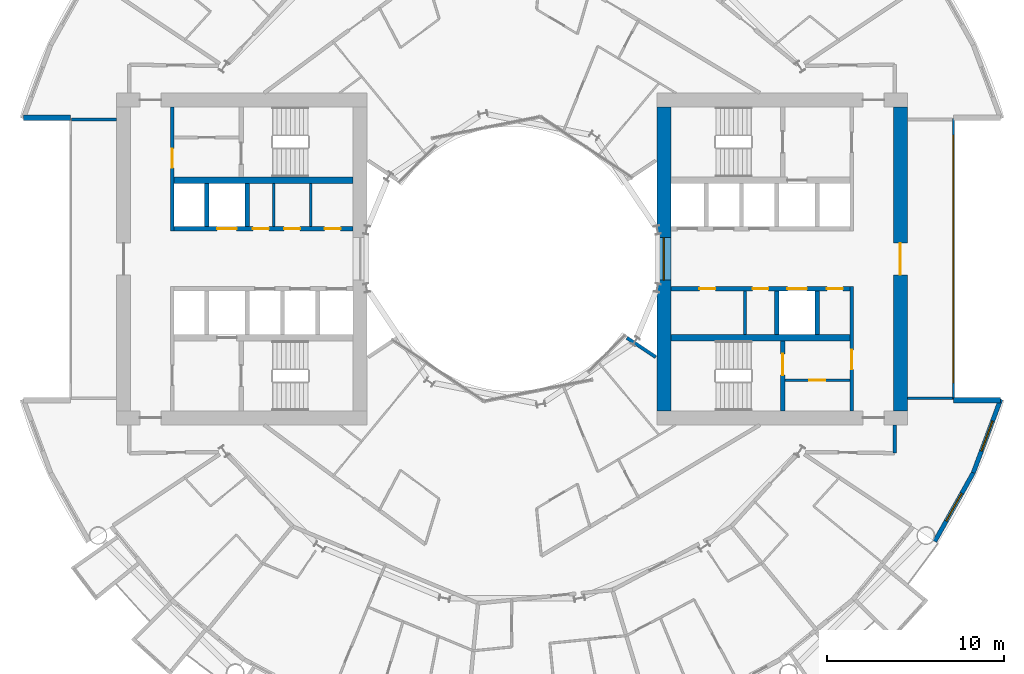
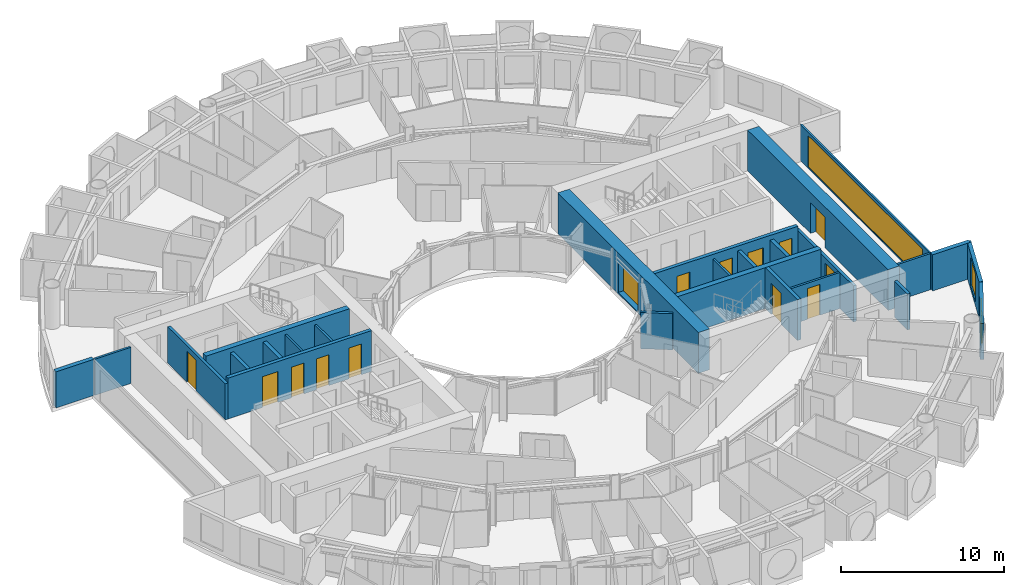
# One storey, part 17 of 26: 26 walls, 13 doors, 4 windows, 17 openings.
"""IFC4 building model written with IfcOpenShell, lengths in metres."""

from ifc_helpers import new_model, si_unit, direction, frame, frame_2d, origin, place, context, subcontext, project, spatial, rectangle, extrude, material, layer, layer_set, type_object, element, fill, save


model = new_model("IFC4")

# Units and contexts
model_context = context("Model", 3, precision=1e-05, world=origin(), true_north=direction((0.0, 1.0)))
body_context = subcontext(model_context, "Body", "Model", "MODEL_VIEW")
ifc_project = project(units=[si_unit("LENGTHUNIT", "METRE"), si_unit("AREAUNIT", "SQUARE_METRE"), si_unit("VOLUMEUNIT", "CUBIC_METRE"), si_unit("PLANEANGLEUNIT", "RADIAN"), si_unit("MASSUNIT", "GRAM", prefix="KILO")], contexts=[model_context])

# Site, building, storey
site_placement = place(None, origin())
site = spatial("IfcSite", under=ifc_project, at=site_placement, CompositionType="ELEMENT")
building_placement = place(site_placement, origin())
building = spatial("IfcBuilding", under=site, at=building_placement, Name="Maasbend Ring Residences", CompositionType="ELEMENT")
storey_placement = place(building_placement, frame((0.0, 0.0, 47.199951171875)))
storey = spatial("IfcBuildingStorey", under=building, at=storey_placement, Name="L13", CompositionType="ELEMENT", Elevation=47.199951171875)

# Wall, openings, doors
ifc_material_1 = material(Name="Concrete C70/85", Category="concrete")
ifc_layer_1 = layer(ifc_material_1, 0.25)
ifc_layer_set_1 = layer_set([ifc_layer_1], Name="Concrete C70/85")
wall_type_1 = type_object("IfcWallType", Name="CORE WALL 250 C70/85", PredefinedType="SHEAR", material=ifc_layer_set_1)
wall_1_placement = place(storey_placement, frame((19.14990234375, -1.699951171875, 0.0), z_axis=(0.0, 0.0, 1.0), x_axis=(-1.0, 0.0, 0.0)))
wall_1 = element("IfcWall", 1, at=wall_1_placement, inside=storey, type_object=wall_type_1, Name="L13 core E wall SPS", PredefinedType="SHEAR", context=body_context, shape_type="SweptSolid", body=[
    extrude(rectangle(XDim=10.14990234375, YDim=0.25, at=frame_2d((5.074951171875, 0.0))), origin(), (0.0, 0.0, 1.0), 3.050048828125),
])
opening_1_placement = place(wall_1_placement, frame((2.449951171875, 0.0, 0.0)))
opening_1 = element("IfcOpeningElement", 2, at=opening_1_placement, cuts=wall_1, Name="Opening LD-E1305", PredefinedType="OPENING", context=body_context, shape_type="SweptSolid", body=[
    extrude(rectangle(XDim=1.10009765625, YDim=2.300048828125, at=frame_2d((0.550048828125, 1.14990234375))), frame((0.0, 0.135009765625, 0.0), z_axis=(0.0, -1.0, 0.0), x_axis=(1.0, 0.0, 0.0)), (0.0, 0.0, 1.0), 0.27001953125),
])
opening_2_placement = place(wall_1_placement, frame((7.637451171875, 0.0, 0.0)))
opening_2 = element("IfcOpeningElement", 3, at=opening_2_placement, cuts=wall_1, Name="Opening D-E1306", PredefinedType="OPENING", context=body_context, shape_type="SweptSolid", body=[
    extrude(rectangle(XDim=0.89990234375, YDim=2.300048828125, at=frame_2d((0.449951171875, 1.14990234375))), frame((0.0, 0.135009765625, 0.0), z_axis=(0.0, -1.0, 0.0), x_axis=(1.0, 0.0, 0.0)), (0.0, 0.0, 1.0), 0.27001953125),
])
opening_3_placement = place(wall_1_placement, frame((4.625, 0.0, 0.0)))
opening_3 = element("IfcOpeningElement", 4, at=opening_3_placement, cuts=wall_1, Name="Opening D-E1307", PredefinedType="OPENING", context=body_context, shape_type="SweptSolid", body=[
    extrude(rectangle(XDim=0.89990234375, YDim=2.300048828125, at=frame_2d((0.449951171875, 1.14990234375))), frame((0.0, 0.135009765625, 0.0), z_axis=(0.0, -1.0, 0.0), x_axis=(1.0, 0.0, 0.0)), (0.0, 0.0, 1.0), 0.27001953125),
])
opening_4_placement = place(wall_1_placement, frame((0.41259765625, 0.0, 0.0)))
opening_4 = element("IfcOpeningElement", 5, at=opening_4_placement, cuts=wall_1, Name="Opening D-E1308", PredefinedType="OPENING", context=body_context, shape_type="SweptSolid", body=[
    extrude(rectangle(XDim=0.89990234375, YDim=2.300048828125, at=frame_2d((0.449951171875, 1.14990234375))), frame((0.0, 0.135009765625, 0.0), z_axis=(0.0, -1.0, 0.0), x_axis=(1.0, 0.0, 0.0)), (0.0, 0.0, 1.0), 0.27001953125),
])
ifc_material_2 = material(Name="Stainless steel 316", Category="steel")
door_type_1 = type_object("IfcDoorType", Name="LANDING DOOR 1100 X 2300 FD60", OperationType="DOUBLE_DOOR_SLIDING", PredefinedType="DOOR", material=ifc_material_2)
door_1_placement = place(opening_1_placement, origin())
door_1 = element("IfcDoor", 6, at=door_1_placement, inside=storey, type_object=door_type_1, Name="Landing door SV-E L13", OperationType="DOUBLE_DOOR_SLIDING", OverallHeight=2.300048828125, OverallWidth=1.10009765625, PredefinedType="DOOR", context=body_context, shape_type="SweptSolid", body=[
    extrude(rectangle(XDim=1.10009765625, YDim=2.300048828125, at=frame_2d((0.550048828125, 1.14990234375))), frame((0.0, 0.02490234375, 0.0), z_axis=(0.0, -1.0, 0.0), x_axis=(1.0, 0.0, 0.0)), (0.0, 0.0, 1.0), 0.050048828125),
])
fill(opening_1, door_1)
ifc_material_3 = material(Name="Steel, powder coated", Category="steel")
door_type_2 = type_object("IfcDoorType", Name="ROOM DOOR 900 X 2300 FD30S", OperationType="NOTDEFINED", PredefinedType="DOOR", material=ifc_material_3)
door_2_placement = place(opening_2_placement, origin())
door_2 = element("IfcDoor", 7, at=door_2_placement, inside=storey, type_object=door_type_2, Name="Room door L13", OperationType="SINGLE_SWING_LEFT", OverallHeight=2.300048828125, OverallWidth=0.89990234375, PredefinedType="DOOR", context=body_context, shape_type="SweptSolid", body=[
    extrude(rectangle(XDim=0.89990234375, YDim=2.300048828125, at=frame_2d((0.449951171875, 1.14990234375))), frame((0.0, 0.02490234375, 0.0), z_axis=(0.0, -1.0, 0.0), x_axis=(1.0, 0.0, 0.0)), (0.0, 0.0, 1.0), 0.050048828125),
])
fill(opening_2, door_2)
door_3_placement = place(opening_3_placement, origin())
door_3 = element("IfcDoor", 8, at=door_3_placement, inside=storey, type_object=door_type_2, Name="Room door L13", OperationType="SINGLE_SWING_LEFT", OverallHeight=2.300048828125, OverallWidth=0.89990234375, PredefinedType="DOOR", context=body_context, shape_type="SweptSolid", body=[
    extrude(rectangle(XDim=0.89990234375, YDim=2.300048828125, at=frame_2d((0.449951171875, 1.14990234375))), frame((0.0, 0.02490234375, 0.0), z_axis=(0.0, -1.0, 0.0), x_axis=(1.0, 0.0, 0.0)), (0.0, 0.0, 1.0), 0.050048828125),
])
fill(opening_3, door_3)
door_4_placement = place(opening_4_placement, origin())
door_4 = element("IfcDoor", 9, at=door_4_placement, inside=storey, type_object=door_type_2, Name="Room door L13", OperationType="SINGLE_SWING_RIGHT", OverallHeight=2.300048828125, OverallWidth=0.89990234375, PredefinedType="DOOR", context=body_context, shape_type="SweptSolid", body=[
    extrude(rectangle(XDim=0.89990234375, YDim=2.300048828125, at=frame_2d((0.449951171875, 1.14990234375))), frame((0.0, 0.02490234375, 0.0), z_axis=(0.0, -1.0, 0.0), x_axis=(1.0, 0.0, 0.0)), (0.0, 0.0, 1.0), 0.050048828125),
])
fill(opening_4, door_4)

# Wall, opening, door
wall_2_placement = place(storey_placement, frame((15.324951171875, -8.60009765625, 0.0), z_axis=(0.0, 0.0, 1.0), x_axis=(0.0, 1.0, 0.0)))
wall_2 = element("IfcWall", 10, at=wall_2_placement, inside=storey, type_object=wall_type_1, Name="L13 core E wall STES", PredefinedType="SHEAR", context=body_context, shape_type="SweptSolid", body=[
    extrude(rectangle(XDim=3.9501953125, YDim=0.25, at=frame_2d((1.97509765625, 0.0))), origin(), (0.0, 0.0, 1.0), 3.050048828125),
])
opening_5_placement = place(wall_2_placement, frame((2.02490234375, 0.0, 0.0)))
opening_5 = element("IfcOpeningElement", 11, at=opening_5_placement, cuts=wall_2, Name="Opening D-E1311", PredefinedType="OPENING", context=body_context, shape_type="SweptSolid", body=[
    extrude(rectangle(XDim=1.199951171875, YDim=2.300048828125, at=frame_2d((0.60009765625, 1.14990234375))), frame((0.0, 0.135009765625, 0.0), z_axis=(0.0, -1.0, 0.0), x_axis=(1.0, 0.0, 0.0)), (0.0, 0.0, 1.0), 0.27001953125),
])
ifc_material_4 = material(Name="Steel, powder coated", Category="steel")
door_type_3 = type_object("IfcDoorType", Name="STAIR DOOR 1200 X 2300 FD60", OperationType="NOTDEFINED", PredefinedType="DOOR", material=ifc_material_4)
door_5_placement = place(opening_5_placement, origin())
door_5 = element("IfcDoor", 12, at=door_5_placement, inside=storey, type_object=door_type_3, Name="Stair door ST-E L13", OperationType="SINGLE_SWING_LEFT", OverallHeight=2.300048828125, OverallWidth=1.199951171875, PredefinedType="DOOR", context=body_context, shape_type="SweptSolid", body=[
    extrude(rectangle(XDim=1.199951171875, YDim=2.300048828125, at=frame_2d((0.60009765625, 1.14990234375))), frame((0.0, 0.02490234375, 0.0), z_axis=(0.0, -1.0, 0.0), x_axis=(1.0, 0.0, 0.0)), (0.0, 0.0, 1.0), 0.050048828125),
])
fill(opening_5, door_5)

# Wall, openings, doors
wall_3_placement = place(storey_placement, frame((-19.14990234375, 1.699951171875, 0.0), z_axis=(0.0, 0.0, 1.0), x_axis=(1.0, 0.0, 0.0)))
wall_3 = element("IfcWall", 13, at=wall_3_placement, inside=storey, type_object=wall_type_1, Name="L13 core W wall SPS", PredefinedType="SHEAR", context=body_context, shape_type="SweptSolid", body=[
    extrude(rectangle(XDim=10.14990234375, YDim=0.25, at=frame_2d((5.074951171875, 0.0))), origin(), (0.0, 0.0, 1.0), 3.050048828125),
])
opening_6_placement = place(wall_3_placement, frame((2.449951171875, 0.0, 0.0)))
opening_6 = element("IfcOpeningElement", 14, at=opening_6_placement, cuts=wall_3, Name="Opening LD-W1305", PredefinedType="OPENING", context=body_context, shape_type="SweptSolid", body=[
    extrude(rectangle(XDim=1.10009765625, YDim=2.300048828125, at=frame_2d((0.550048828125, 1.14990234375))), frame((0.0, 0.135009765625, 0.0), z_axis=(0.0, -1.0, 0.0), x_axis=(1.0, 0.0, 0.0)), (0.0, 0.0, 1.0), 0.27001953125),
])
opening_7_placement = place(wall_3_placement, frame((8.53759765625, 0.0, 0.0)))
opening_7 = element("IfcOpeningElement", 15, at=opening_7_placement, cuts=wall_3, Name="Opening D-W1306", PredefinedType="OPENING", context=body_context, shape_type="SweptSolid", body=[
    extrude(rectangle(XDim=0.89990234375, YDim=2.300048828125, at=frame_2d((0.449951171875, 1.14990234375))), frame((0.0, 0.135009765625, 0.0), z_axis=(0.0, -1.0, 0.0), x_axis=(1.0, 0.0, 0.0)), (0.0, 0.0, 1.0), 0.27001953125),
])
opening_8_placement = place(wall_3_placement, frame((6.25, 0.0, 0.0)))
opening_8 = element("IfcOpeningElement", 16, at=opening_8_placement, cuts=wall_3, Name="Opening D-W1307", PredefinedType="OPENING", context=body_context, shape_type="SweptSolid", body=[
    extrude(rectangle(XDim=0.89990234375, YDim=2.300048828125, at=frame_2d((0.449951171875, 1.14990234375))), frame((0.0, 0.135009765625, 0.0), z_axis=(0.0, -1.0, 0.0), x_axis=(1.0, 0.0, 0.0)), (0.0, 0.0, 1.0), 0.27001953125),
])
opening_9_placement = place(wall_3_placement, frame((4.47509765625, 0.0, 0.0)))
opening_9 = element("IfcOpeningElement", 17, at=opening_9_placement, cuts=wall_3, Name="Opening D-W1308", PredefinedType="OPENING", context=body_context, shape_type="SweptSolid", body=[
    extrude(rectangle(XDim=0.89990234375, YDim=2.300048828125, at=frame_2d((0.449951171875, 1.14990234375))), frame((0.0, 0.135009765625, 0.0), z_axis=(0.0, -1.0, 0.0), x_axis=(1.0, 0.0, 0.0)), (0.0, 0.0, 1.0), 0.27001953125),
])
door_6_placement = place(opening_6_placement, origin())
door_6 = element("IfcDoor", 18, at=door_6_placement, inside=storey, type_object=door_type_1, Name="Landing door SV-W L13", OperationType="DOUBLE_DOOR_SLIDING", OverallHeight=2.300048828125, OverallWidth=1.10009765625, PredefinedType="DOOR", context=body_context, shape_type="SweptSolid", body=[
    extrude(rectangle(XDim=1.10009765625, YDim=2.300048828125, at=frame_2d((0.550048828125, 1.14990234375))), frame((0.0, 0.02490234375, 0.0), z_axis=(0.0, -1.0, 0.0), x_axis=(1.0, 0.0, 0.0)), (0.0, 0.0, 1.0), 0.050048828125),
])
fill(opening_6, door_6)
door_7_placement = place(opening_7_placement, origin())
door_7 = element("IfcDoor", 19, at=door_7_placement, inside=storey, type_object=door_type_2, Name="Room door L13", OperationType="SINGLE_SWING_LEFT", OverallHeight=2.300048828125, OverallWidth=0.89990234375, PredefinedType="DOOR", context=body_context, shape_type="SweptSolid", body=[
    extrude(rectangle(XDim=0.89990234375, YDim=2.300048828125, at=frame_2d((0.449951171875, 1.14990234375))), frame((0.0, 0.02490234375, 0.0), z_axis=(0.0, -1.0, 0.0), x_axis=(1.0, 0.0, 0.0)), (0.0, 0.0, 1.0), 0.050048828125),
])
fill(opening_7, door_7)
door_8_placement = place(opening_8_placement, origin())
door_8 = element("IfcDoor", 20, at=door_8_placement, inside=storey, type_object=door_type_2, Name="Room door L13", OperationType="SINGLE_SWING_LEFT", OverallHeight=2.300048828125, OverallWidth=0.89990234375, PredefinedType="DOOR", context=body_context, shape_type="SweptSolid", body=[
    extrude(rectangle(XDim=0.89990234375, YDim=2.300048828125, at=frame_2d((0.449951171875, 1.14990234375))), frame((0.0, 0.02490234375, 0.0), z_axis=(0.0, -1.0, 0.0), x_axis=(1.0, 0.0, 0.0)), (0.0, 0.0, 1.0), 0.050048828125),
])
fill(opening_8, door_8)
door_9_placement = place(opening_9_placement, origin())
door_9 = element("IfcDoor", 21, at=door_9_placement, inside=storey, type_object=door_type_2, Name="Room door L13", OperationType="SINGLE_SWING_RIGHT", OverallHeight=2.300048828125, OverallWidth=0.89990234375, PredefinedType="DOOR", context=body_context, shape_type="SweptSolid", body=[
    extrude(rectangle(XDim=0.89990234375, YDim=2.300048828125, at=frame_2d((0.449951171875, 1.14990234375))), frame((0.0, 0.02490234375, 0.0), z_axis=(0.0, -1.0, 0.0), x_axis=(1.0, 0.0, 0.0)), (0.0, 0.0, 1.0), 0.050048828125),
])
fill(opening_9, door_9)

# Walls
ifc_material_5 = material(Name="Concrete C70/85", Category="concrete")
ifc_layer_2 = layer(ifc_material_5, 0.375)
ifc_layer_set_2 = layer_set([ifc_layer_2], Name="Concrete C70/85")
wall_type_2 = type_object("IfcWallType", Name="CORE WALL 375 C70/85", PredefinedType="SHEAR", material=ifc_layer_set_2)
for number, where, z_axis, x_axis, name in (
    (22, (9.0, -4.46240234375, 0.0), (0.0, 0.0, 1.0), (1.0, 0.0, 0.0), "L13 core E wall BS"),
    (23, (-9.0, 4.46240234375, 0.0), (0.0, 0.0, 1.0), (-1.0, 0.0, 0.0), "L13 core W wall BS"),
):
    element("IfcWall", number, at=place(storey_placement, frame(where, z_axis=z_axis, x_axis=x_axis)), inside=storey, type_object=wall_type_2, Name=name, PredefinedType="SHEAR", context=body_context, shape_type="SweptSolid", body=[
        extrude(rectangle(XDim=10.14990234375, YDim=0.375, at=frame_2d((5.074951171875, 0.0))), origin(), (0.0, 0.0, 1.0), 3.050048828125),
    ])

# Wall, opening, door
ifc_material_6 = material(Name="Concrete C70/85", Category="concrete")
ifc_layer_3 = layer(ifc_material_6, 0.800048828125)
ifc_layer_set_3 = layer_set([ifc_layer_3], Name="Concrete C70/85")
wall_type_3 = type_object("IfcWallType", Name="CORE WALL 800 C70/85", PredefinedType="SHEAR", material=ifc_layer_set_3)
wall_4_placement = place(storey_placement, frame((22.0, 8.60009765625, 0.0), z_axis=(0.0, 0.0, 1.0), x_axis=(0.0, -1.0, 0.0)))
wall_4 = element("IfcWall", 24, at=wall_4_placement, inside=storey, type_object=wall_type_3, Name="L13 core E wall POUT", PredefinedType="SHEAR", context=body_context, shape_type="SweptSolid", body=[
    extrude(rectangle(XDim=17.2001953125, YDim=0.800048828125, at=frame_2d((8.60009765625, 0.0))), origin(), (0.0, 0.0, 1.0), 3.050048828125),
])
opening_10_placement = place(wall_4_placement, frame((7.699951171875, 0.0, 0.0)))
opening_10 = element("IfcOpeningElement", 25, at=opening_10_placement, cuts=wall_4, Name="Opening D-E1316", PredefinedType="OPENING", context=body_context, shape_type="SweptSolid", body=[
    extrude(rectangle(XDim=1.800048828125, YDim=2.300048828125, at=frame_2d((0.89990234375, 1.14990234375))), frame((0.0, 0.41015625, 0.0), z_axis=(0.0, -1.0, 0.0), x_axis=(1.0, 0.0, 0.0)), (0.0, 0.0, 1.0), 0.820068359375),
])
ifc_material_7 = material(Name="Aluminium frame, clear glass", Category="aluminium")
door_type_4 = type_object("IfcDoorType", Name="ENTRANCE DOOR 1800 X 2300 FD60", OperationType="NOTDEFINED", PredefinedType="DOOR", material=ifc_material_7)
door_10_placement = place(opening_10_placement, origin())
door_10 = element("IfcDoor", 26, at=door_10_placement, inside=storey, type_object=door_type_4, Name="Lobby glazed door L13", OperationType="SINGLE_SWING_LEFT", OverallHeight=2.300048828125, OverallWidth=1.800048828125, PredefinedType="DOOR", context=body_context, shape_type="SweptSolid", body=[
    extrude(rectangle(XDim=1.800048828125, YDim=2.300048828125, at=frame_2d((0.89990234375, 1.14990234375))), frame((0.0, 0.02490234375, 0.0), z_axis=(0.0, -1.0, 0.0), x_axis=(1.0, 0.0, 0.0)), (0.0, 0.0, 1.0), 0.050048828125),
])
fill(opening_10, door_10)

# Wall, opening, window
wall_5_placement = place(storey_placement, frame((8.60009765625, -8.60009765625, 0.0), z_axis=(0.0, 0.0, 1.0), x_axis=(0.0, 1.0, 0.0)))
wall_5 = element("IfcWall", 27, at=wall_5_placement, inside=storey, type_object=wall_type_3, Name="L13 core E wall PIN", PredefinedType="SHEAR", context=body_context, shape_type="SweptSolid", body=[
    extrude(rectangle(XDim=17.2001953125, YDim=0.800048828125, at=frame_2d((8.60009765625, 0.0))), origin(), (0.0, 0.0, 1.0), 3.050048828125),
])
opening_11_placement = place(wall_5_placement, frame((7.39990234375, 0.0, 0.10009765625)))
opening_11 = element("IfcOpeningElement", 28, at=opening_11_placement, cuts=wall_5, Name="Opening W-E1301", PredefinedType="OPENING", context=body_context, shape_type="SweptSolid", body=[
    extrude(rectangle(XDim=2.39990234375, YDim=2.199951171875, at=frame_2d((1.199951171875, 1.10009765625))), frame((0.0, 0.41015625, 0.0), z_axis=(0.0, -1.0, 0.0), x_axis=(1.0, 0.0, 0.0)), (0.0, 0.0, 1.0), 0.820068359375),
])
ifc_material_8 = material(Name="Aluminium frame and clear glass", Category="aluminium")
window_type_1 = type_object("IfcWindowType", Name="FIXED WINDOW 2400 X 2200", PartitioningType="SINGLE_PANEL", PredefinedType="WINDOW", material=ifc_material_8)
window_1_placement = place(opening_11_placement, origin())
window_1 = element("IfcWindow", 29, at=window_1_placement, inside=storey, type_object=window_type_1, Name="Lobby window L13", OverallHeight=2.199951171875, OverallWidth=2.39990234375, PartitioningType="SINGLE_PANEL", PredefinedType="WINDOW", context=body_context, shape_type="SweptSolid", body=[
    extrude(rectangle(XDim=2.39990234375, YDim=2.199951171875, at=frame_2d((1.199951171875, 1.10009765625))), frame((0.0, 0.030029296875, 0.0), z_axis=(0.0, -1.0, 0.0), x_axis=(1.0, 0.0, 0.0)), (0.0, 0.0, 1.0), 0.06005859375),
])
fill(opening_11, window_1)

# Wall
ifc_material_9 = material(Name="Concrete C30/37", Category="concrete")
ifc_layer_4 = layer(ifc_material_9, 0.199951171875)
ifc_layer_set_4 = layer_set([ifc_layer_4], Name="Concrete C30/37")
wall_type_4 = type_object("IfcWallType", Name="CORRIDOR WALL 200 CONCRETE", PredefinedType="PARTITIONING", material=ifc_layer_set_4)
wall_6_placement = place(storey_placement, frame((21.675048828125, -11.0, 0.0), z_axis=(0.0, 0.0, 1.0), x_axis=(0.0, 1.0, 0.0)))
element("IfcWall", 30, at=wall_6_placement, inside=storey, type_object=wall_type_4, Name="U-L13-w009", PredefinedType="PARTITIONING", context=body_context, shape_type="SweptSolid", body=[
    extrude(rectangle(XDim=1.60009765625, YDim=0.199951171875, at=frame_2d((0.800048828125, 0.0))), origin(), (0.0, 0.0, 1.0), 2.699951171875),
])

# Wall, opening, window
ifc_material_10 = material(Name="Aluminium clad insulated panel", Category="aluminium")
ifc_layer_5 = layer(ifc_material_10, 0.25)
ifc_layer_set_5 = layer_set([ifc_layer_5], Name="EW-HORN")
wall_type_5 = type_object("IfcWallType", Name="EW-HORN", PredefinedType="SOLIDWALL", material=ifc_layer_set_5)
wall_7_placement = place(storey_placement, frame((23.946044921875, -16.0, 0.0), z_axis=(0.0, 0.0, 1.0), x_axis=(0.489696356642, 0.871893042919, 0.0)))
wall_7 = element("IfcWall", 31, at=wall_7_placement, inside=storey, type_object=wall_type_5, Name="Horn wall 2.1", PredefinedType="SOLIDWALL", context=body_context, shape_type="SweptSolid", body=[
    extrude(rectangle(XDim=4.45361328125, YDim=0.25, at=frame_2d((2.226806640625, 0.0))), origin(), (0.0, 0.0, 1.0), 2.699951171875),
])
opening_12_placement = place(wall_7_placement, frame((1.32666015625, 0.0, 0.300048828125)))
opening_12 = element("IfcOpeningElement", 32, at=opening_12_placement, cuts=wall_7, Name="Opening W-BX", PredefinedType="OPENING", context=body_context, shape_type="SweptSolid", body=[
    extrude(rectangle(XDim=1.800048828125, YDim=2.10009765625, at=frame_2d((0.89990234375, 1.050048828125))), frame((0.0, 0.135009765625, 0.0), z_axis=(0.0, -1.0, 0.0), x_axis=(1.0, 0.0, 0.0)), (0.0, 0.0, 1.0), 0.27001953125),
])
ifc_material_11 = material(Name="Aluminium and clear glass", Category="aluminium")
window_type_2 = type_object("IfcWindowType", Name="W-BX", PartitioningType="DOUBLE_PANEL_VERTICAL", PredefinedType="WINDOW", material=ifc_material_11)
window_2_placement = place(opening_12_placement, origin())
window_2 = element("IfcWindow", 33, at=window_2_placement, inside=storey, type_object=window_type_2, Name="Horn window 2.1", OverallHeight=2.10009765625, OverallWidth=1.800048828125, PartitioningType="SINGLE_PANEL", PredefinedType="WINDOW", context=body_context, shape_type="SweptSolid", body=[
    extrude(rectangle(XDim=1.800048828125, YDim=2.10009765625, at=frame_2d((0.89990234375, 1.050048828125))), frame((0.0, 0.030029296875, 0.0), z_axis=(0.0, -1.0, 0.0), x_axis=(1.0, 0.0, 0.0)), (0.0, 0.0, 1.0), 0.06005859375),
])
fill(opening_12, window_2)

wall_8_placement = place(storey_placement, frame((26.126953125, -12.116943359375, 0.0), z_axis=(0.0, 0.0, 1.0), x_axis=(0.349247811493, 0.937030397675, 0.0)))
wall_8 = element("IfcWall", 34, at=wall_8_placement, inside=storey, type_object=wall_type_5, Name="Horn wall 2.2", PredefinedType="SOLIDWALL", context=body_context, shape_type="SweptSolid", body=[
    extrude(rectangle(XDim=4.4521484375, YDim=0.25, at=frame_2d((2.22607421875, 0.0))), origin(), (0.0, 0.0, 1.0), 2.699951171875),
])
opening_13_placement = place(wall_8_placement, frame((1.32666015625, 0.0, 0.300048828125)))
opening_13 = element("IfcOpeningElement", 35, at=opening_13_placement, cuts=wall_8, Name="Opening W-BX", PredefinedType="OPENING", context=body_context, shape_type="SweptSolid", body=[
    extrude(rectangle(XDim=1.800048828125, YDim=2.10009765625, at=frame_2d((0.89990234375, 1.050048828125))), frame((0.0, 0.135009765625, 0.0), z_axis=(0.0, -1.0, 0.0), x_axis=(1.0, 0.0, 0.0)), (0.0, 0.0, 1.0), 0.27001953125),
])
window_3_placement = place(opening_13_placement, origin())
window_3 = element("IfcWindow", 36, at=window_3_placement, inside=storey, type_object=window_type_2, Name="Horn window 2.2", OverallHeight=2.10009765625, OverallWidth=1.800048828125, PartitioningType="SINGLE_PANEL", PredefinedType="WINDOW", context=body_context, shape_type="SweptSolid", body=[
    extrude(rectangle(XDim=1.800048828125, YDim=2.10009765625, at=frame_2d((0.89990234375, 1.050048828125))), frame((0.0, 0.030029296875, 0.0), z_axis=(0.0, -1.0, 0.0), x_axis=(1.0, 0.0, 0.0)), (0.0, 0.0, 1.0), 0.06005859375),
])
fill(opening_13, window_3)

# Walls
ifc_material_12 = material(Name="Aluminium clad insulated panel", Category="aluminium")
ifc_layer_6 = layer(ifc_material_12, 0.300048828125)
ifc_layer_set_6 = layer_set([ifc_layer_6], Name="EW-RET")
wall_type_6 = type_object("IfcWallType", Name="EW-RET", PredefinedType="SOLIDWALL", material=ifc_layer_set_6)
for number, where, z_axis, x_axis, name in (
    (37, (25.0, -8.0, 0.0), (0.0, 0.0, 1.0), (1.0, 0.0, 0.0), "Notch return wall east south"),
    (38, (-25.0, 8.0, 0.0), (0.0, 0.0, 1.0), (-1.0, 0.0, 0.0), "Notch return wall west north"),
):
    element("IfcWall", number, at=place(storey_placement, frame(where, z_axis=z_axis, x_axis=x_axis)), inside=storey, type_object=wall_type_6, Name=name, PredefinedType="SOLIDWALL", context=body_context, shape_type="SweptSolid", body=[
        extrude(rectangle(XDim=2.6669921875, YDim=0.300048828125, at=frame_2d((1.33349609375, 0.0))), origin(), (0.0, 0.0, 1.0), 2.699951171875),
    ])

# Wall, opening, window
ifc_material_13 = material(Name="Aluminium frame and clear glass", Category="aluminium")
ifc_layer_7 = layer(ifc_material_13, 0.1201171875)
ifc_layer_set_7 = layer_set([ifc_layer_7], Name="GLAZED SCREEN WALL 120 EI 60")
wall_type_7 = type_object("IfcWallType", Name="GLAZED SCREEN WALL 120 EI 60", PredefinedType="PARTITIONING", material=ifc_layer_set_7)
wall_9_placement = place(storey_placement, frame((25.0, -7.949951171875, 0.0), z_axis=(0.0, 0.0, 1.0), x_axis=(0.0, 1.0, 0.0)))
wall_9 = element("IfcWall", 39, at=wall_9_placement, inside=storey, type_object=wall_type_7, Name="L13 core E wall FACE", PredefinedType="PARTITIONING", context=body_context, shape_type="SweptSolid", body=[
    extrude(rectangle(XDim=15.89990234375, YDim=0.1201171875, at=frame_2d((7.949951171875, 0.0))), origin(), (0.0, 0.0, 1.0), 2.699951171875),
])
opening_14_placement = place(wall_9_placement, frame((0.949951171875, 0.0, 0.10009765625)))
opening_14 = element("IfcOpeningElement", 40, at=opening_14_placement, cuts=wall_9, Name="Opening W-E1302", PredefinedType="OPENING", context=body_context, shape_type="SweptSolid", body=[
    extrude(rectangle(XDim=14.0, YDim=2.35009765625, at=frame_2d((7.0, 1.175048828125))), frame((0.0, 0.070068359375, 0.0), z_axis=(0.0, -1.0, 0.0), x_axis=(1.0, 0.0, 0.0)), (0.0, 0.0, 1.0), 0.14013671875),
])
ifc_material_14 = material(Name="Aluminium frame and clear glass", Category="aluminium")
window_type_3 = type_object("IfcWindowType", Name="FIXED WINDOW 14000 X 2350", PartitioningType="SINGLE_PANEL", PredefinedType="WINDOW", material=ifc_material_14)
window_4_placement = place(opening_14_placement, origin())
window_4 = element("IfcWindow", 41, at=window_4_placement, inside=storey, type_object=window_type_3, Name="Lobby window L13", OverallHeight=2.35009765625, OverallWidth=14.0, PartitioningType="SINGLE_PANEL", PredefinedType="WINDOW", context=body_context, shape_type="SweptSolid", body=[
    extrude(rectangle(XDim=14.0, YDim=2.35009765625, at=frame_2d((7.0, 1.175048828125))), frame((0.0, 0.030029296875, 0.0), z_axis=(0.0, -1.0, 0.0), x_axis=(1.0, 0.0, 0.0)), (0.0, 0.0, 1.0), 0.06005859375),
])
fill(opening_14, window_4)

# Wall
ifc_material_15 = material(Name="Gypsum board on steel studs", Category="steel")
ifc_layer_8 = layer(ifc_material_15, 0.14990234375)
ifc_layer_set_8 = layer_set([ifc_layer_8], Name="PARTITION 150 EI 60")
wall_type_8 = type_object("IfcWallType", Name="PARTITION 150 EI 60", PredefinedType="PARTITIONING", material=ifc_layer_set_8)
wall_10_placement = place(storey_placement, frame((13.199951171875, -1.824951171875, 0.0), z_axis=(0.0, 0.0, 1.0), x_axis=(0.0, -1.0, 0.0)))
element("IfcWall", 42, at=wall_10_placement, inside=storey, type_object=wall_type_8, Name="L13 core E wall PRS1320", PredefinedType="PARTITIONING", context=body_context, shape_type="SweptSolid", body=[
    extrude(rectangle(XDim=2.449951171875, YDim=0.14990234375, at=frame_2d((1.22509765625, 0.0))), origin(), (0.0, 0.0, 1.0), 2.699951171875),
])

# Wall, opening, door
wall_11_placement = place(storey_placement, frame((15.449951171875, -6.875, 0.0), z_axis=(0.0, 0.0, 1.0), x_axis=(1.0, 0.0, 0.0)))
wall_11 = element("IfcWall", 43, at=wall_11_placement, inside=storey, type_object=wall_type_8, Name="L13 core E wall RHS", PredefinedType="PARTITIONING", context=body_context, shape_type="SweptSolid", body=[
    extrude(rectangle(XDim=3.699951171875, YDim=0.14990234375, at=frame_2d((1.85009765625, 0.0))), origin(), (0.0, 0.0, 1.0), 2.699951171875),
])
opening_15_placement = place(wall_11_placement, frame((1.39990234375, 0.0, 0.0)))
opening_15 = element("IfcOpeningElement", 44, at=opening_15_placement, cuts=wall_11, Name="Opening D-E1309", PredefinedType="OPENING", context=body_context, shape_type="SweptSolid", body=[
    extrude(rectangle(XDim=0.89990234375, YDim=2.300048828125, at=frame_2d((0.449951171875, 1.14990234375))), frame((0.0, 0.0849609375, 0.0), z_axis=(0.0, -1.0, 0.0), x_axis=(1.0, 0.0, 0.0)), (0.0, 0.0, 1.0), 0.169921875),
])
ifc_material_16 = material(Name="Steel, powder coated", Category="steel")
door_type_5 = type_object("IfcDoorType", Name="RISER DOOR 900 X 2300 FD60", OperationType="NOTDEFINED", PredefinedType="DOOR", material=ifc_material_16)
door_11_placement = place(opening_15_placement, origin())
door_11 = element("IfcDoor", 45, at=door_11_placement, inside=storey, type_object=door_type_5, Name="Riser door L13", OperationType="SINGLE_SWING_LEFT", OverallHeight=2.300048828125, OverallWidth=0.89990234375, PredefinedType="DOOR", context=body_context, shape_type="SweptSolid", body=[
    extrude(rectangle(XDim=0.89990234375, YDim=2.300048828125, at=frame_2d((0.449951171875, 1.14990234375))), frame((0.0, 0.02490234375, 0.0), z_axis=(0.0, -1.0, 0.0), x_axis=(1.0, 0.0, 0.0)), (0.0, 0.0, 1.0), 0.050048828125),
])
fill(opening_15, door_11)

# Walls
wall_12_placement = place(storey_placement, frame((22.39990234375, -7.89990234375, 0.0), z_axis=(0.0, 0.0, 1.0), x_axis=(1.0, 0.0, 0.0)))
element("IfcWall", 46, at=wall_12_placement, inside=storey, type_object=wall_type_8, Name="L13 core E wall CITS", PredefinedType="PARTITIONING", context=body_context, shape_type="SweptSolid", body=[
    extrude(rectangle(XDim=2.5400390625, YDim=0.14990234375, at=frame_2d((1.27001953125, 0.0))), origin(), (0.0, 0.0, 1.0), 2.699951171875),
])
for number, where, z_axis, x_axis, name in (
    (47, (-11.39990234375, 1.824951171875, 0.0), (0.0, 0.0, 1.0), (0.0, 1.0, 0.0), "L13 core W wall PRS1140"),
    (48, (-13.5, 1.824951171875, 0.0), (0.0, 0.0, 1.0), (0.0, 1.0, 0.0), "L13 core W wall PRS1350"),
):
    element("IfcWall", number, at=place(storey_placement, frame(where, z_axis=z_axis, x_axis=x_axis)), inside=storey, type_object=wall_type_8, Name=name, PredefinedType="PARTITIONING", context=body_context, shape_type="SweptSolid", body=[
        extrude(rectangle(XDim=2.449951171875, YDim=0.14990234375, at=frame_2d((1.22509765625, 0.0))), origin(), (0.0, 0.0, 1.0), 2.699951171875),
    ])
wall_13_placement = place(storey_placement, frame((-22.39990234375, 7.89990234375, 0.0), z_axis=(0.0, 0.0, 1.0), x_axis=(-1.0, 0.0, 0.0)))
element("IfcWall", 49, at=wall_13_placement, inside=storey, type_object=wall_type_8, Name="L13 core W wall CITS", PredefinedType="PARTITIONING", context=body_context, shape_type="SweptSolid", body=[
    extrude(rectangle(XDim=2.5400390625, YDim=0.14990234375, at=frame_2d((1.27001953125, 0.0))), origin(), (0.0, 0.0, 1.0), 2.699951171875),
])
ifc_material_17 = material(Name="Concrete C30/37", Category="concrete")
ifc_layer_9 = layer(ifc_material_17, 0.199951171875)
ifc_layer_set_9 = layer_set([ifc_layer_9], Name="Concrete C30/37")
wall_type_9 = type_object("IfcWallType", Name="PARTY WALL 200 CONCRETE", PredefinedType="PARTITIONING", material=ifc_layer_set_9)
wall_14_placement = place(storey_placement, frame((6.512939453125, -4.471923828125, 0.0), z_axis=(0.0, 0.0, 1.0), x_axis=(0.831417956244, -0.555647533996, 0.0)))
element("IfcWall", 50, at=wall_14_placement, inside=storey, type_object=wall_type_9, Name="U-L13-w029", PredefinedType="PARTITIONING", context=body_context, shape_type="SweptSolid", body=[
    extrude(rectangle(XDim=1.9619140625, YDim=0.199951171875, at=frame_2d((0.98095703125, 0.0))), origin(), (0.0, 0.0, 1.0), 2.699951171875),
])

# Wall, opening, door
ifc_material_18 = material(Name="Concrete C30/37", Category="concrete")
ifc_layer_10 = layer(ifc_material_18, 0.199951171875)
ifc_layer_set_10 = layer_set([ifc_layer_10], Name="Concrete C30/37")
wall_type_10 = type_object("IfcWallType", Name="SHAFT WALL 200 EI 120", PredefinedType="SOLIDWALL", material=ifc_layer_set_10)
wall_15_placement = place(storey_placement, frame((19.25, -8.60009765625, 0.0), z_axis=(0.0, 0.0, 1.0), x_axis=(0.0, 1.0, 0.0)))
wall_15 = element("IfcWall", 51, at=wall_15_placement, inside=storey, type_object=wall_type_10, Name="L13 core E wall ENDS", PredefinedType="SOLIDWALL", context=body_context, shape_type="SweptSolid", body=[
    extrude(rectangle(XDim=7.025146484375, YDim=0.199951171875, at=frame_2d((3.5126953125, 0.0))), origin(), (0.0, 0.0, 1.0), 2.699951171875),
])
opening_16_placement = place(wall_15_placement, frame((2.35009765625, 0.0, 0.0)))
opening_16 = element("IfcOpeningElement", 52, at=opening_16_placement, cuts=wall_15, Name="Opening D-E1313", PredefinedType="OPENING", context=body_context, shape_type="SweptSolid", body=[
    extrude(rectangle(XDim=1.10009765625, YDim=2.300048828125, at=frame_2d((0.550048828125, 1.14990234375))), frame((0.0, 0.10986328125, 0.0), z_axis=(0.0, -1.0, 0.0), x_axis=(1.0, 0.0, 0.0)), (0.0, 0.0, 1.0), 0.219970703125),
])
ifc_material_19 = material(Name="Steel, powder coated", Category="steel")
door_type_6 = type_object("IfcDoorType", Name="LOBBY DOOR 1100 X 2300 FD60", OperationType="NOTDEFINED", PredefinedType="DOOR", material=ifc_material_19)
door_12_placement = place(opening_16_placement, origin())
door_12 = element("IfcDoor", 53, at=door_12_placement, inside=storey, type_object=door_type_6, Name="Lobby door L13", OperationType="SINGLE_SWING_RIGHT", OverallHeight=2.300048828125, OverallWidth=1.10009765625, PredefinedType="DOOR", context=body_context, shape_type="SweptSolid", body=[
    extrude(rectangle(XDim=1.10009765625, YDim=2.300048828125, at=frame_2d((0.550048828125, 1.14990234375))), frame((0.0, 0.02490234375, 0.0), z_axis=(0.0, -1.0, 0.0), x_axis=(1.0, 0.0, 0.0)), (0.0, 0.0, 1.0), 0.050048828125),
])
fill(opening_16, door_12)

wall_16_placement = place(storey_placement, frame((-19.25, 8.60009765625, 0.0), z_axis=(0.0, 0.0, 1.0), x_axis=(0.0, -1.0, 0.0)))
wall_16 = element("IfcWall", 54, at=wall_16_placement, inside=storey, type_object=wall_type_10, Name="L13 core W wall ENDS", PredefinedType="SOLIDWALL", context=body_context, shape_type="SweptSolid", body=[
    extrude(rectangle(XDim=7.025146484375, YDim=0.199951171875, at=frame_2d((3.5126953125, 0.0))), origin(), (0.0, 0.0, 1.0), 2.699951171875),
])
opening_17_placement = place(wall_16_placement, frame((2.35009765625, 0.0, 0.0)))
opening_17 = element("IfcOpeningElement", 55, at=opening_17_placement, cuts=wall_16, Name="Opening D-W1313", PredefinedType="OPENING", context=body_context, shape_type="SweptSolid", body=[
    extrude(rectangle(XDim=1.10009765625, YDim=2.300048828125, at=frame_2d((0.550048828125, 1.14990234375))), frame((0.0, 0.10986328125, 0.0), z_axis=(0.0, -1.0, 0.0), x_axis=(1.0, 0.0, 0.0)), (0.0, 0.0, 1.0), 0.219970703125),
])
door_13_placement = place(opening_17_placement, origin())
door_13 = element("IfcDoor", 56, at=door_13_placement, inside=storey, type_object=door_type_6, Name="Lobby door L13", OperationType="SINGLE_SWING_RIGHT", OverallHeight=2.300048828125, OverallWidth=1.10009765625, PredefinedType="DOOR", context=body_context, shape_type="SweptSolid", body=[
    extrude(rectangle(XDim=1.10009765625, YDim=2.300048828125, at=frame_2d((0.550048828125, 1.14990234375))), frame((0.0, 0.02490234375, 0.0), z_axis=(0.0, -1.0, 0.0), x_axis=(1.0, 0.0, 0.0)), (0.0, 0.0, 1.0), 0.050048828125),
])
fill(opening_17, door_13)

# Walls
ifc_material_20 = material(Name="Concrete C30/37", Category="concrete")
ifc_layer_11 = layer(ifc_material_20, 0.25)
ifc_layer_set_11 = layer_set([ifc_layer_11], Name="Concrete C30/37")
wall_type_11 = type_object("IfcWallType", Name="SHAFT WALL 250 EI 120", PredefinedType="SOLIDWALL", material=ifc_layer_set_11)
for number, where, z_axis, x_axis, name in (
    (57, (15.0, -1.824951171875, 0.0), (0.0, 0.0, 1.0), (0.0, -1.0, 0.0), "L13 core E wall D150S"),
    (58, (17.300048828125, -1.824951171875, 0.0), (0.0, 0.0, 1.0), (0.0, -1.0, 0.0), "L13 core E wall D173S"),
    (59, (-15.0, 1.824951171875, 0.0), (0.0, 0.0, 1.0), (0.0, 1.0, 0.0), "L13 core W wall D150S"),
    (60, (-17.300048828125, 1.824951171875, 0.0), (0.0, 0.0, 1.0), (0.0, 1.0, 0.0), "L13 core W wall D173S"),
):
    element("IfcWall", number, at=place(storey_placement, frame(where, z_axis=z_axis, x_axis=x_axis)), inside=storey, type_object=wall_type_11, Name=name, PredefinedType="SOLIDWALL", context=body_context, shape_type="SweptSolid", body=[
        extrude(rectangle(XDim=2.449951171875, YDim=0.25, at=frame_2d((1.22509765625, 0.0))), origin(), (0.0, 0.0, 1.0), 2.699951171875),
    ])

save(model, "model.ifc")
